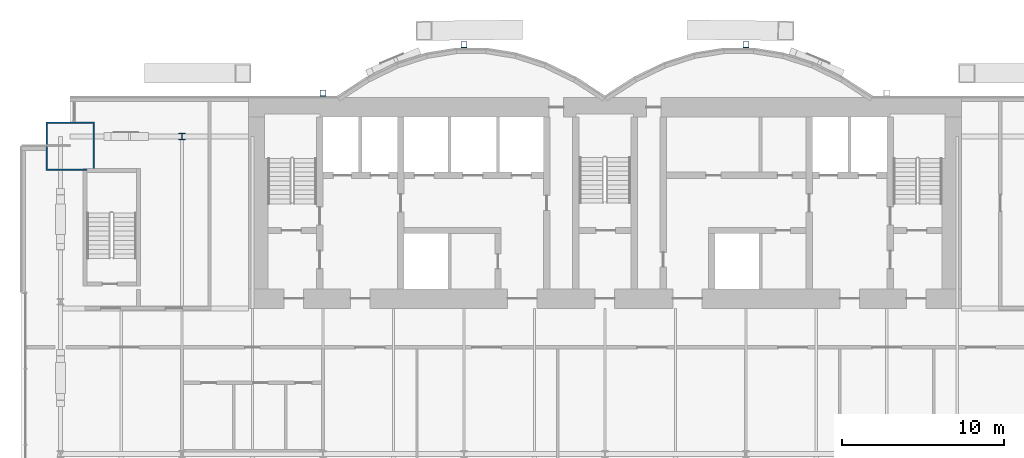
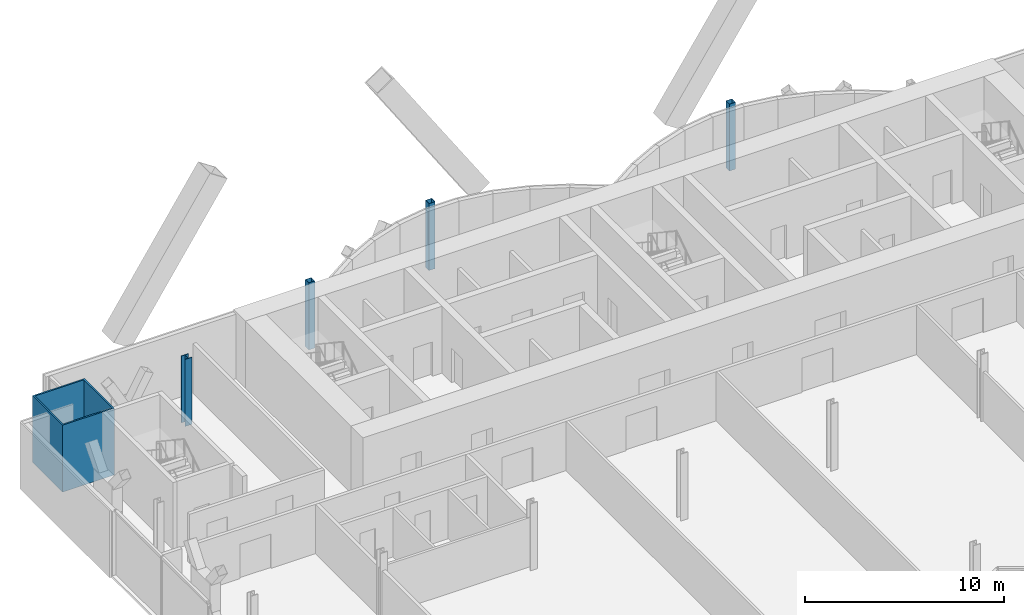
# One storey, part 2 of 22: 5 columns.
"""IFC4 building model written with IfcOpenShell, lengths in metres."""

from ifc_helpers import new_model, si_unit, direction, frame, origin, origin_2d, place, context, subcontext, project, spatial, hollow_rectangle, i_section, extrude, material, material_profile, profile_set, type_object, element, save


model = new_model("IFC4")

# Units and contexts
model_context = context("Model", 3, precision=1e-05, world=origin(), true_north=direction((0.0, 1.0)))
body_context = subcontext(model_context, "Body", "Model", "MODEL_VIEW")
ifc_project = project(units=[si_unit("LENGTHUNIT", "METRE"), si_unit("AREAUNIT", "SQUARE_METRE"), si_unit("VOLUMEUNIT", "CUBIC_METRE"), si_unit("PLANEANGLEUNIT", "RADIAN"), si_unit("MASSUNIT", "GRAM", prefix="KILO")], contexts=[model_context])

# Site, building, storey
site_placement = place(None, origin())
site = spatial("IfcSite", under=ifc_project, at=site_placement, CompositionType="ELEMENT")
building_placement = place(site_placement, origin())
building = spatial("IfcBuilding", under=site, at=building_placement, Name="Bicima Exchange Tower", CompositionType="ELEMENT")
storey_placement = place(building_placement, frame((0.0, 0.0, 94.0)))
storey = spatial("IfcBuildingStorey", under=building, at=storey_placement, Name="L19", CompositionType="ELEMENT", Elevation=94.0)

# Columns
ifc_material_1 = material(Name="Steel ASTM A572 Gr 50", Category="steel")
ifc_material_profile_1 = material_profile(ifc_material_1, hollow_rectangle(XDim=3.0, YDim=3.0, WallThickness=0.090087890625, at=origin_2d()))
ifc_profile_set_1 = profile_set([ifc_material_profile_1], Name="Steel ASTM A572 Gr 50")
column_type_1 = type_object("IfcColumnType", Name="Mega column BOX 3000x3000x90", PredefinedType="COLUMN", material=ifc_profile_set_1)
column_1_placement = place(storey_placement, frame((-33.0, -3.0, 0.0), z_axis=(0.0, 0.0, 1.0), x_axis=(1.0, 0.0, 0.0)))
element("IfcColumn", 1, at=column_1_placement, inside=storey, type_object=column_type_1, Name="Mega column mega-33.0r", PredefinedType="COLUMN", context=body_context, shape_type="SweptSolid", body=[
    extrude(hollow_rectangle(XDim=3.0, YDim=3.0, WallThickness=0.090087890625, at=origin_2d()), origin(), (0.0, 0.0, 1.0), 4.10009765625),
])
ifc_material_2 = material(Name="Steel ASTM A992 Gr 50", Category="steel")
ifc_material_profile_2 = material_profile(ifc_material_2, i_section(OverallWidth=0.398681640625, OverallDepth=0.393798828125, WebThickness=0.022705078125, FlangeThickness=0.03662109375, at=origin_2d()))
ifc_profile_set_2 = profile_set([ifc_material_profile_2], Name="Steel ASTM A992 Gr 50")
column_type_2 = type_object("IfcColumnType", Name="Perimeter column W14x193", PredefinedType="COLUMN", material=ifc_profile_set_2)
column_2_placement = place(storey_placement, frame((-26.10009765625, -2.39990234375, 0.0), z_axis=(0.0, 0.0, 1.0), x_axis=(1.0, 0.0, 0.0)))
element("IfcColumn", 2, at=column_2_placement, inside=storey, type_object=column_type_2, Name="Perimeter column grav-26.1r", PredefinedType="COLUMN", context=body_context, shape_type="SweptSolid", body=[
    extrude(i_section(OverallWidth=0.398681640625, OverallDepth=0.393798828125, WebThickness=0.022705078125, FlangeThickness=0.03662109375, at=origin_2d()), origin(), (0.0, 0.0, 1.0), 4.10009765625),
])
ifc_material_profile_3 = material_profile(ifc_material_1, hollow_rectangle(XDim=0.355712890625, YDim=0.355712890625, WallThickness=0.01171875, at=origin_2d()))
ifc_profile_set_3 = profile_set([ifc_material_profile_3], Name="Steel ASTM A572 Gr 50")
column_type_3 = type_object("IfcColumnType", Name="Rear pilaster HSS14x14x1/2", PredefinedType="COLUMN", material=ifc_profile_set_3)
for number, where, z_axis, x_axis, name in (
    (3, (-8.699951171875, 3.26904296875, 0.0), (0.0, 0.0, 1.0), (1.0, 0.0, 0.0), "Rear pilaster rexo-8.7r"),
    (4, (-17.39990234375, 0.278076171875, 0.0), (0.0, 0.0, 1.0), (1.0, 0.0, 0.0), "Rear pilaster rexo-17.4r"),
    (5, (8.699951171875, 3.26904296875, 0.0), (0.0, 0.0, 1.0), (1.0, 0.0, 0.0), "Rear pilaster rexo+8.7r"),
):
    element("IfcColumn", number, at=place(storey_placement, frame(where, z_axis=z_axis, x_axis=x_axis)), inside=storey, type_object=column_type_3, Name=name, PredefinedType="COLUMN", context=body_context, shape_type="SweptSolid", body=[
        extrude(hollow_rectangle(XDim=0.355712890625, YDim=0.355712890625, WallThickness=0.01171875, at=origin_2d()), origin(), (0.0, 0.0, 1.0), 4.10009765625),
    ])

save(model, "model.ifc")
